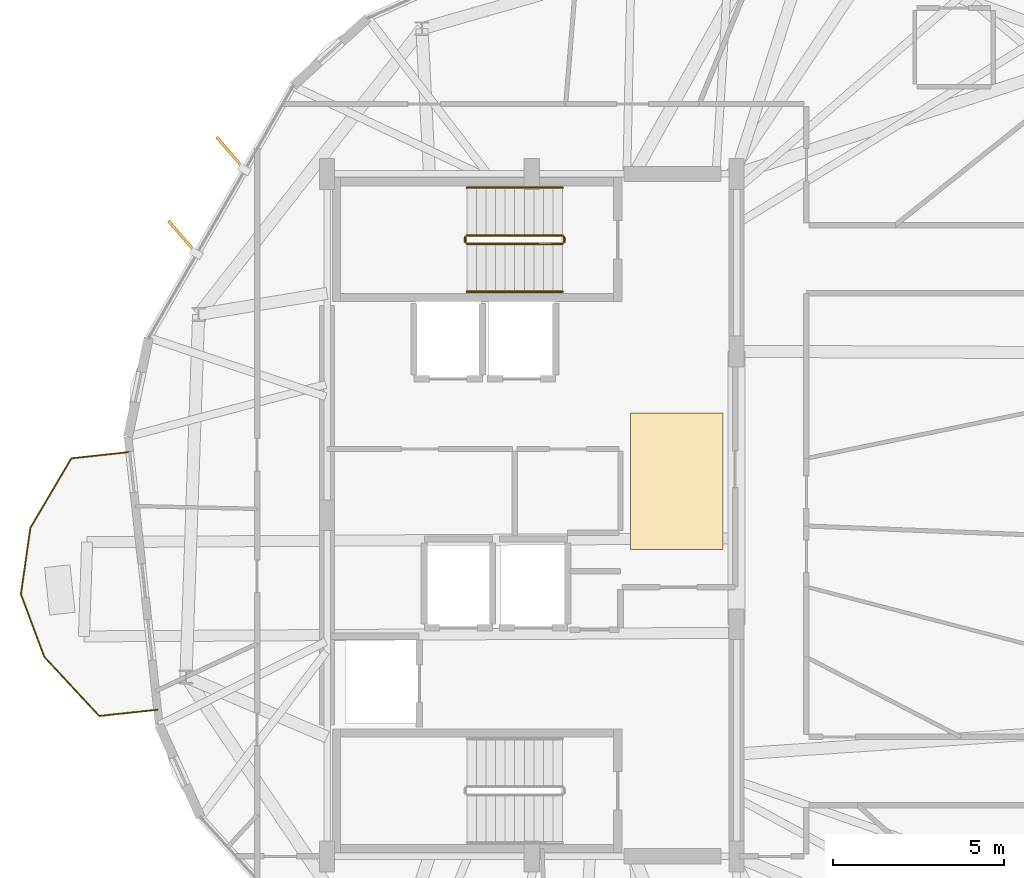
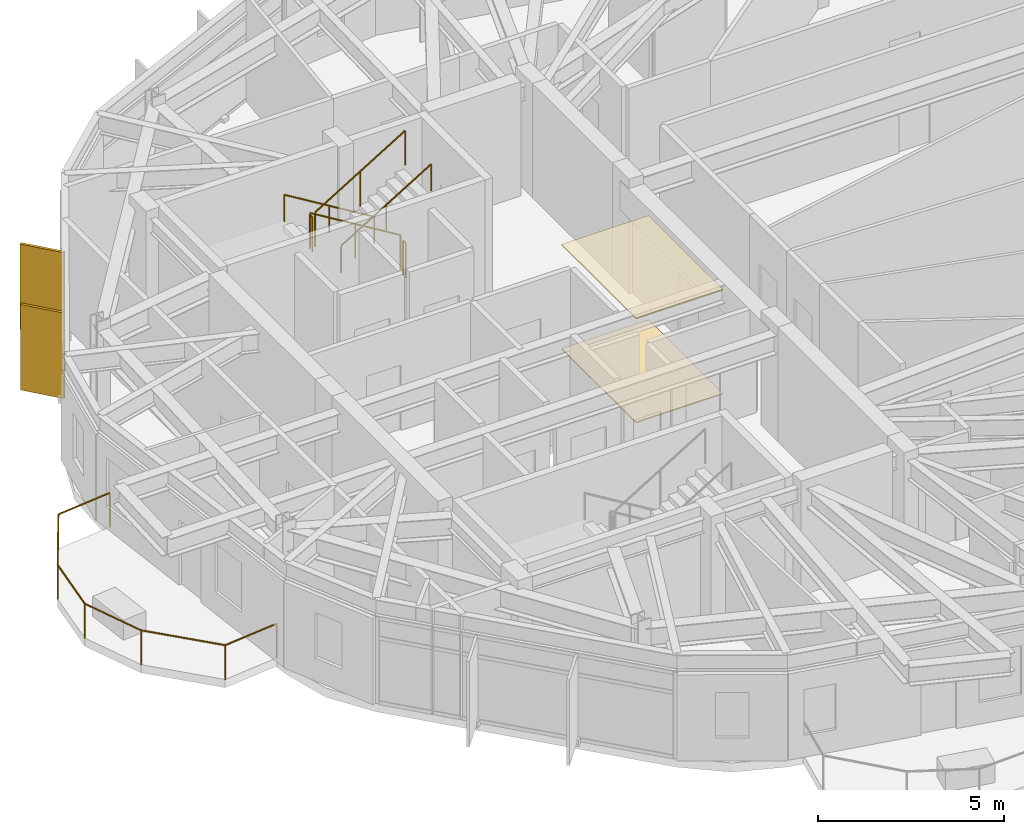
# One storey, part 22 of 23: 7 railings, 2 coverings, 2 shading devices.
"""IFC4 building model written with IfcOpenShell, lengths in metres."""

from ifc_helpers import new_model, si_unit, direction, frame, origin, origin_2d, place, context, subcontext, project, spatial, polyline, rectangle, circle, outline, extrude, material, layer, layer_set, type_object, element, save


model = new_model("IFC4")

# Units and contexts
model_context = context("Model", 3, precision=1e-05, world=origin(), true_north=direction((0.0, 1.0)))
body_context = subcontext(model_context, "Body", "Model", "MODEL_VIEW")
ifc_project = project(units=[si_unit("LENGTHUNIT", "METRE"), si_unit("AREAUNIT", "SQUARE_METRE"), si_unit("VOLUMEUNIT", "CUBIC_METRE"), si_unit("PLANEANGLEUNIT", "RADIAN"), si_unit("MASSUNIT", "GRAM", prefix="KILO")], contexts=[model_context])

# Site, building, storey
site_placement = place(None, origin())
site = spatial("IfcSite", under=ifc_project, at=site_placement, CompositionType="ELEMENT")
building_placement = place(site_placement, origin())
building = spatial("IfcBuilding", under=site, at=building_placement, Name="Soratama Intermodal Tower", CompositionType="ELEMENT")
storey_placement = place(building_placement, frame((0.0, 0.0, 253.75)))
storey = spatial("IfcBuildingStorey", under=building, at=storey_placement, Name="L64", CompositionType="ELEMENT", Elevation=253.75)

# Coverings
ifc_material_1 = material(Name="Perforated mineral acoustic ceiling", Category="concrete")
ifc_layer_1 = layer(ifc_material_1, 0.0400390625)
ifc_layer_set_1 = layer_set([ifc_layer_1], Name="Perforated mineral acoustic ceiling")
covering_type_1 = type_object("IfcCoveringType", Name="CV-CEIL-ACOUSTIC", PredefinedType="CEILING", material=ifc_layer_set_1)
covering_1_placement = place(storey_placement, frame((0.0, 0.0, 3.409912109375)))
element("IfcCovering", 1, at=covering_1_placement, inside=storey, type_object=covering_type_1, Name="L64 Acoustic Ceiling", PredefinedType="CEILING", context=body_context, shape_type="SweptSolid", body=[
    extrude(outline(polyline([(41.5, 24.0), (44.199951171875, 24.0), (44.199951171875, 28.0), (41.5, 28.0), (41.5, 24.0)])), origin(), (0.0, 0.0, 1.0), 0.0400390625),
])
ifc_material_2 = material(Name="Polished Andean stone terrazzo flooring", Category="masonry")
ifc_layer_2 = layer(ifc_material_2, 0.030029296875)
ifc_layer_set_2 = layer_set([ifc_layer_2], Name="Polished Andean stone terrazzo flooring")
covering_type_2 = type_object("IfcCoveringType", Name="CV-FLOR-TERRAZZO", PredefinedType="FLOORING", material=ifc_layer_set_2)
covering_2_placement = place(storey_placement, origin())
element("IfcCovering", 2, at=covering_2_placement, inside=storey, type_object=covering_type_2, Name="L64 Lobby Terrazzo Flooring", PredefinedType="FLOORING", context=body_context, shape_type="SweptSolid", body=[
    extrude(outline(polyline([(41.5, 24.0), (44.199951171875, 24.0), (44.199951171875, 28.0), (41.5, 28.0), (41.5, 24.0)])), origin(), (0.0, 0.0, 1.0), 0.030029296875),
])

# Railings
ifc_material_3 = material(Name="Laminated glass and stainless steel balustrade", Category="steel")
railing_type_1 = type_object("IfcRailingType", Name="RL-BAL-1150", PredefinedType="BALUSTRADE", material=ifc_material_3)
railing_1_placement = place(storey_placement, frame((27.63330078125, 19.29736328125, 0.0)))
element("IfcRailing", 3, at=railing_1_placement, inside=storey, type_object=railing_type_1, Name="L64 Balcony Balustrade 2", PredefinedType="BALUSTRADE", context=body_context, shape_type="SweptSolid", body=[
    extrude(circle(Radius=0.02392578125, at=origin_2d()), frame((0.0, 0.0, 1.1259765625), z_axis=(-0.994196385368, -0.107580422571, 0.0), x_axis=(0.107580422571, -0.994196385368, 0.0)), (0.0, 0.0, 1.0), 1.72021484375),
    extrude(circle(Radius=0.02392578125, at=origin_2d()), frame((-1.710205078125, -0.18505859375, 1.1259765625), z_axis=(-0.680233676073, 0.732995324634, 0.0), x_axis=(-0.732995324634, -0.680233676073, 0.0)), (0.0, 0.0, 1.0), 2.369140625),
    extrude(circle(Radius=0.02392578125, at=origin_2d()), frame((-3.32177734375, 1.551513671875, 1.1259765625), z_axis=(-0.350127148593, 0.936702183097, 0.0), x_axis=(-0.936702183097, -0.350127148593, 0.0)), (0.0, 0.0, 1.0), 1.960693359375),
    extrude(circle(Radius=0.02392578125, at=origin_2d()), frame((-4.00830078125, 3.38818359375, 1.1259765625), z_axis=(0.141560799069, 0.989929563235, 0.0), x_axis=(-0.989929563235, 0.141560799069, 0.0)), (0.0, 0.0, 1.0), 1.9609375),
    extrude(circle(Radius=0.02392578125, at=origin_2d()), frame((-3.730712890625, 5.329345703125, 1.1259765625), z_axis=(0.507583020723, 0.86160285345, 0.0), x_axis=(-0.86160285345, 0.507583020723, 0.0)), (0.0, 0.0, 1.0), 2.368896484375),
    extrude(circle(Radius=0.02392578125, at=origin_2d()), frame((-2.5283203125, 7.370361328125, 1.1259765625), z_axis=(0.994179548579, 0.107735904822, 0.0), x_axis=(-0.107735904822, 0.994179548579, 0.0)), (0.0, 0.0, 1.0), 1.719970703125),
    extrude(circle(Radius=0.02099609375, at=origin_2d()), origin(), (0.0, 0.0, 1.0), 1.101806640625),
    extrude(circle(Radius=0.02099609375, at=origin_2d()), frame((-1.710205078125, -0.18505859375, 0.0)), (0.0, 0.0, 1.0), 1.101806640625),
    extrude(circle(Radius=0.02099609375, at=origin_2d()), frame((-3.32177734375, 1.551513671875, 0.0)), (0.0, 0.0, 1.0), 1.101806640625),
    extrude(circle(Radius=0.02099609375, at=origin_2d()), frame((-4.00830078125, 3.38818359375, 0.0)), (0.0, 0.0, 1.0), 1.101806640625),
    extrude(circle(Radius=0.02099609375, at=origin_2d()), frame((-3.730712890625, 5.329345703125, 0.0)), (0.0, 0.0, 1.0), 1.101806640625),
    extrude(circle(Radius=0.02099609375, at=origin_2d()), frame((-2.5283203125, 7.370361328125, 0.0)), (0.0, 0.0, 1.0), 1.101806640625),
    extrude(circle(Radius=0.02099609375, at=origin_2d()), frame((-0.818359375, 7.5556640625, 0.0)), (0.0, 0.0, 1.0), 1.101806640625),
])
ifc_material_4 = material(Name="Painted steel stair guardrail", Category="steel")
railing_type_2 = type_object("IfcRailingType", Name="RL-STAIR-GUARD", PredefinedType="GUARDRAIL", material=ifc_material_4)
railing_2_placement = place(storey_placement, frame((39.5, 33.199951171875, 0.17041015625)))
element("IfcRailing", 4, at=railing_2_placement, inside=storey, type_object=railing_type_2, Name="L64 ST-2 stair guard 1", PredefinedType="GUARDRAIL", context=body_context, shape_type="SweptSolid", body=[
    extrude(circle(Radius=0.02392578125, at=origin_2d()), frame((0.0, 0.0, 1.1259765625), z_axis=(-0.854169791009, 0.0, 0.51999420009), x_axis=(0.0, -1.0, 0.0)), (0.0, 0.0, 1.0), 3.278076171875),
    extrude(circle(Radius=0.02099609375, at=origin_2d()), origin(), (0.0, 0.0, 1.0), 1.101806640625),
    extrude(circle(Radius=0.02099609375, at=origin_2d()), frame((-1.39990234375, 0.0, 0.852294921875)), (0.0, 0.0, 1.0), 1.101806640625),
    extrude(circle(Radius=0.02099609375, at=origin_2d()), frame((-2.800048828125, 0.0, 1.70458984375)), (0.0, 0.0, 1.0), 1.101806640625),
])
railing_3_placement = place(storey_placement, frame((36.64990234375, 33.14990234375, 1.875)))
element("IfcRailing", 5, at=railing_3_placement, inside=storey, type_object=railing_type_2, Name="L64 ST-2 stair guard 2", PredefinedType="GUARDRAIL", context=body_context, shape_type="SweptSolid", body=[
    extrude(circle(Radius=0.02392578125, at=origin_2d()), frame((0.0, 0.0, 1.1259765625), z_axis=(0.0, -1.0, 0.0), x_axis=(1.0, 0.0, 0.0)), (0.0, 0.0, 1.0), 0.14990234375),
    extrude(circle(Radius=0.02099609375, at=origin_2d()), origin(), (0.0, 0.0, 1.0), 1.101806640625),
    extrude(circle(Radius=0.02099609375, at=origin_2d()), frame((0.0, -0.14990234375, 0.0)), (0.0, 0.0, 1.0), 1.101806640625),
])
railing_4_placement = place(storey_placement, frame((36.699951171875, 32.949951171875, 2.04541015625)))
element("IfcRailing", 6, at=railing_4_placement, inside=storey, type_object=railing_type_2, Name="L64 ST-2 stair guard 3", PredefinedType="GUARDRAIL", context=body_context, shape_type="SweptSolid", body=[
    extrude(circle(Radius=0.02392578125, at=origin_2d()), frame((0.0, 0.0, 1.1259765625), z_axis=(0.854169791009, 0.0, 0.51999420009), x_axis=(0.0, 1.0, 0.0)), (0.0, 0.0, 1.0), 3.278076171875),
    extrude(circle(Radius=0.02099609375, at=origin_2d()), origin(), (0.0, 0.0, 1.0), 1.101806640625),
    extrude(circle(Radius=0.02099609375, at=origin_2d()), frame((1.39990234375, 0.0, 0.852294921875)), (0.0, 0.0, 1.0), 1.101806640625),
    extrude(circle(Radius=0.02099609375, at=origin_2d()), frame((2.800048828125, 0.0, 1.70458984375)), (0.0, 0.0, 1.0), 1.101806640625),
])
railing_5_placement = place(storey_placement, frame((39.550048828125, 33.14990234375, 0.0)))
element("IfcRailing", 7, at=railing_5_placement, inside=storey, type_object=railing_type_2, Name="L64 ST-2 stair guard 4", PredefinedType="GUARDRAIL", context=body_context, shape_type="SweptSolid", body=[
    extrude(circle(Radius=0.02392578125, at=origin_2d()), frame((0.0, 0.0, 1.1259765625), z_axis=(0.0, -1.0, 0.0), x_axis=(1.0, 0.0, 0.0)), (0.0, 0.0, 1.0), 0.14990234375),
    extrude(circle(Radius=0.02099609375, at=origin_2d()), origin(), (0.0, 0.0, 1.0), 1.101806640625),
    extrude(circle(Radius=0.02099609375, at=origin_2d()), frame((0.0, -0.14990234375, 0.0)), (0.0, 0.0, 1.0), 1.101806640625),
])
ifc_material_5 = material(Name="Brushed stainless steel handrail", Category="steel")
railing_type_3 = type_object("IfcRailingType", Name="RL-STAIR-HAND", PredefinedType="HANDRAIL", material=ifc_material_5)
railing_6_placement = place(storey_placement, frame((39.5, 34.60009765625, 0.17041015625)))
element("IfcRailing", 8, at=railing_6_placement, inside=storey, type_object=railing_type_3, Name="L64 ST-2 stair handrail 1", PredefinedType="HANDRAIL", context=body_context, shape_type="SweptSolid", body=[
    extrude(circle(Radius=0.02392578125, at=origin_2d()), frame((0.0, 0.0, 0.8759765625), z_axis=(-0.854169791009, 0.0, 0.51999420009), x_axis=(0.0, -1.0, 0.0)), (0.0, 0.0, 1.0), 3.278076171875),
    extrude(circle(Radius=0.02099609375, at=origin_2d()), origin(), (0.0, 0.0, 1.0), 0.851806640625),
    extrude(circle(Radius=0.02099609375, at=origin_2d()), frame((-1.39990234375, 0.0, 0.852294921875)), (0.0, 0.0, 1.0), 0.851806640625),
    extrude(circle(Radius=0.02099609375, at=origin_2d()), frame((-2.800048828125, 0.0, 1.70458984375)), (0.0, 0.0, 1.0), 0.851806640625),
])
railing_7_placement = place(storey_placement, frame((36.699951171875, 31.550048828125, 2.04541015625)))
element("IfcRailing", 9, at=railing_7_placement, inside=storey, type_object=railing_type_3, Name="L64 ST-2 stair handrail 2", PredefinedType="HANDRAIL", context=body_context, shape_type="SweptSolid", body=[
    extrude(circle(Radius=0.02392578125, at=origin_2d()), frame((0.0, 0.0, 0.8759765625), z_axis=(0.854169791009, 0.0, 0.51999420009), x_axis=(0.0, 1.0, 0.0)), (0.0, 0.0, 1.0), 3.278076171875),
    extrude(circle(Radius=0.02099609375, at=origin_2d()), origin(), (0.0, 0.0, 1.0), 0.851806640625),
    extrude(circle(Radius=0.02099609375, at=origin_2d()), frame((1.39990234375, 0.0, 0.852294921875)), (0.0, 0.0, 1.0), 0.851806640625),
    extrude(circle(Radius=0.02099609375, at=origin_2d()), frame((2.800048828125, 0.0, 1.70458984375)), (0.0, 0.0, 1.0), 0.851806640625),
])

# Shading devices
ifc_material_6 = material(Name="Champagne anodised aluminium solar fin", Category="aluminium")
ifc_layer_3 = layer(ifc_material_6, 0.080078125)
ifc_layer_set_3 = layer_set([ifc_layer_3], Name="Champagne anodised aluminium solar fin")
shading_device_type = type_object("IfcShadingDeviceType", Name="SH-FIN-1250", PredefinedType="USERDEFINED", material=ifc_layer_set_3)
for number, where, z_axis, x_axis, name in (
    (10, (29.77099609375, 35.60888671875, 0.02001953125), (0.0, 0.0, 1.0), (-0.652891962553, 0.757451044777, 0.0), "L64 Solar Fin F03-1"),
    (11, (28.362060546875, 33.15087890625, 0.02001953125), (0.0, 0.0, 1.0), (-0.652891962553, 0.757451044777, 0.0), "L64 Solar Fin F03-2"),
):
    element("IfcShadingDevice", number, at=place(storey_placement, frame(where, z_axis=z_axis, x_axis=x_axis)), inside=storey, type_object=shading_device_type, Name=name, ObjectType="FIN", PredefinedType="USERDEFINED", context=body_context, shape_type="SweptSolid", body=[
        extrude(rectangle(XDim=1.25, YDim=0.080078125, at=origin_2d()), origin(), (0.0, 0.0, 1.0), 2.80908203125),
    ])

save(model, "model.ifc")
